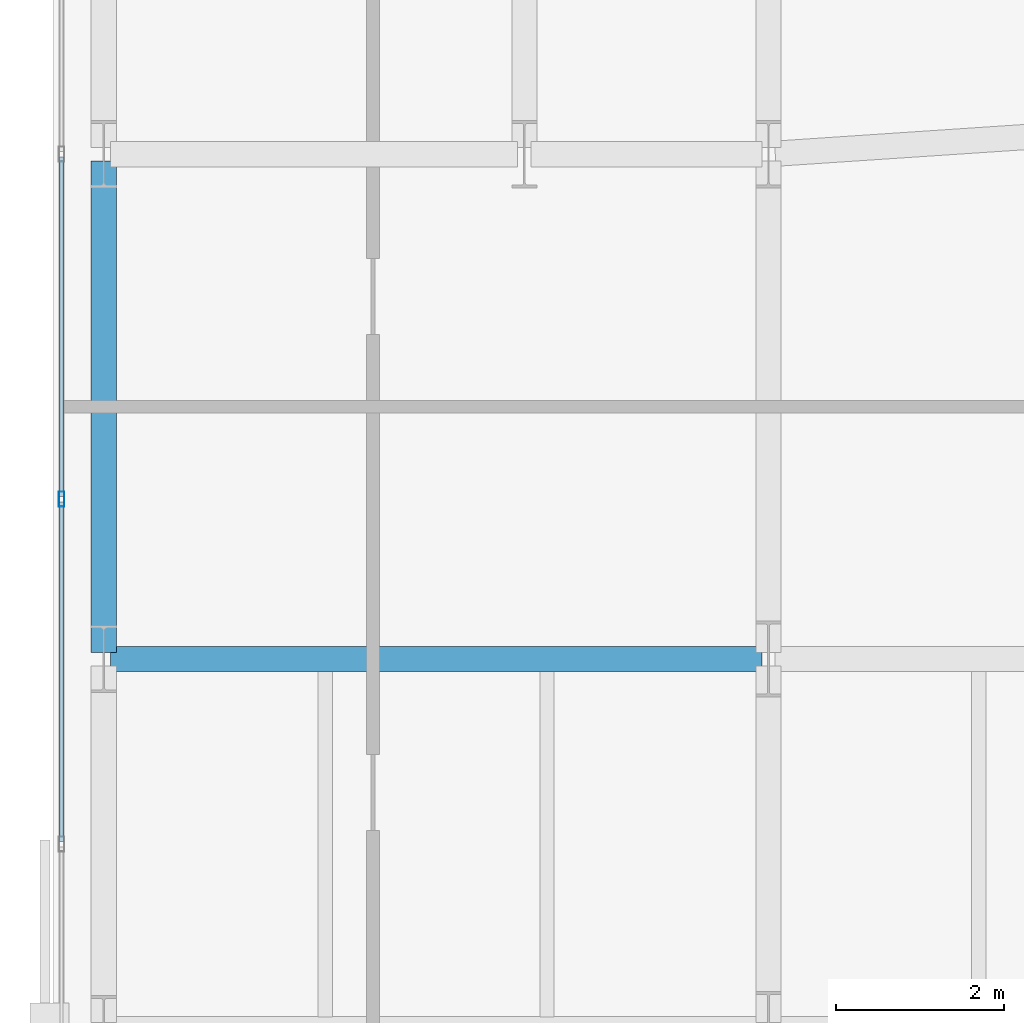
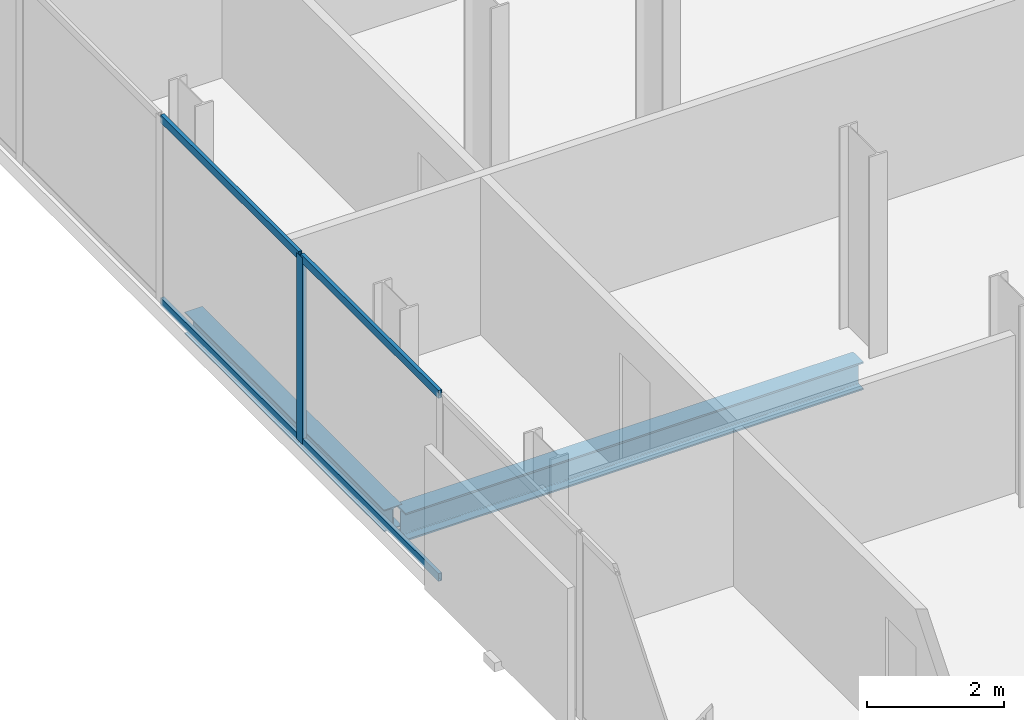
# One storey, part 9 of 33: 5 members, 2 beams, 1 element without a shape of its own.
"""IFC4 building model written with IfcOpenShell, lengths in metres."""

from ifc_helpers import new_model, si_unit, direction, frame, origin, origin_2d, place, context, subcontext, project, spatial, hollow_rectangle, i_section, extrude, material, layer, layer_set, material_profile, profile_set, type_object, element, aggregate, save


model = new_model("IFC4")

# Units and contexts
model_context = context("Model", 3, precision=1e-05, world=origin(), true_north=direction((0.0, 1.0)))
body_context = subcontext(model_context, "Body", "Model", "MODEL_VIEW")
ifc_project = project(units=[si_unit("LENGTHUNIT", "METRE"), si_unit("AREAUNIT", "SQUARE_METRE"), si_unit("VOLUMEUNIT", "CUBIC_METRE"), si_unit("PLANEANGLEUNIT", "RADIAN"), si_unit("MASSUNIT", "GRAM", prefix="KILO")], contexts=[model_context])

# Site, building, storey
site_placement = place(None, origin())
site = spatial("IfcSite", under=ifc_project, at=site_placement, CompositionType="ELEMENT")
building_placement = place(site_placement, origin())
building = spatial("IfcBuilding", under=site, at=building_placement, Name="Catumbela Crestline Tower", CompositionType="ELEMENT")
storey_placement = place(building_placement, frame((0.0, 0.0, 47.4)))
storey = spatial("IfcBuildingStorey", under=building, at=storey_placement, Name="L11", CompositionType="ELEMENT", Elevation=47.4)

# Beam
ifc_material_1 = material(Name="Structural steel S355J2", Category="steel")
ifc_material_profile_1 = material_profile(ifc_material_1, i_section(OverallWidth=0.3, OverallDepth=0.5, WebThickness=0.0145, FlangeThickness=0.028, FilletRadius=0.027, at=origin_2d()), Name="HEB 500")
ifc_profile_set_1 = profile_set([ifc_material_profile_1], Name="Structural steel S355J2")
beam_type_1 = type_object("IfcBeamType", Name="BG-HEB500", PredefinedType="BEAM", material=ifc_profile_set_1)
beam_1_placement = place(storey_placement, frame((0.68, 18.0, -0.51), z_axis=(1.0, 0.0, 0.0), x_axis=(0.0, 1.0, 0.0)))
element("IfcBeam", 1, at=beam_1_placement, inside=storey, type_object=beam_type_1, Name="L11 Beam BM-L11-WEW54", PredefinedType="BEAM", context=body_context, shape_type="SweptSolid", body=[
    extrude(i_section(OverallWidth=0.3, OverallDepth=0.5, WebThickness=0.0145, FlangeThickness=0.028, FilletRadius=0.027, at=origin_2d()), origin(), (0.0, 0.0, 1.0), 7.74),
])

# Curtain wall, member
ifc_material_2 = material(Name="Aluminium alloy AW-6060-T66", Category="aluminium")
ifc_layer = layer(ifc_material_2, 0.18, Name="Aluminium alloy AW-6060-T66")
ifc_layer_set = layer_set([ifc_layer], Name="Aluminium alloy AW-6060-T66")
curtain_wall_type = type_object("IfcCurtainWallType", Name="CWU-Z1", PredefinedType="USERDEFINED", material=ifc_layer_set)
curtain_wall_placement = place(storey_placement, origin())
curtain_wall = element("IfcCurtainWall", 2, at=curtain_wall_placement, inside=storey, type_object=curtain_wall_type, Name="L11 Unitised Curtain Wall CW-L11-E9S1", ObjectType="UNITISED", PredefinedType="USERDEFINED")
ifc_material_profile_2 = material_profile(ifc_material_2, hollow_rectangle(XDim=0.065, YDim=0.18, WallThickness=0.004, at=origin_2d()), Name="ALU 180x65x4")
ifc_profile_set_2 = profile_set([ifc_material_profile_2], Name="Aluminium alloy AW-6060-T66")
member_type_1 = type_object("IfcMemberType", Name="MUL-180X65", PredefinedType="MULLION", material=ifc_profile_set_2)
member_1_placement = place(storey_placement, frame((0.1, 19.9, 0.0), z_axis=(0.0, 0.0, 1.0), x_axis=(1.0, 0.0, 0.0)))
member_1 = element("IfcMember", 3, at=member_1_placement, type_object=member_type_1, Name="CWU-Z1 mullion 7", PredefinedType="MULLION", context=body_context, shape_type="SweptSolid", body=[
    extrude(hollow_rectangle(XDim=0.065, YDim=0.18, WallThickness=0.004, at=origin_2d()), origin(), (0.0, 0.0, 1.0), 3.33),
])

# Beam
ifc_material_profile_3 = material_profile(ifc_material_1, i_section(OverallWidth=0.3, OverallDepth=0.39, WebThickness=0.011, FlangeThickness=0.019, FilletRadius=0.027, at=origin_2d()), Name="HEA 400")
ifc_profile_set_3 = profile_set([ifc_material_profile_3], Name="Structural steel S355J2")
beam_type_2 = type_object("IfcBeamType", Name="BS-HEA400", PredefinedType="SPANDREL", material=ifc_profile_set_3)
beam_2_placement = place(storey_placement, frame((0.6, 18.08, -0.455), z_axis=(0.0, 1.0, 0.0), x_axis=(-1.0, 0.0, 0.0)))
element("IfcBeam", 4, at=beam_2_placement, inside=storey, type_object=beam_type_2, Name="L11 Spandrel SP-L11-WNS60", PredefinedType="SPANDREL", context=body_context, shape_type="SweptSolid", body=[
    extrude(i_section(OverallWidth=0.3, OverallDepth=0.39, WebThickness=0.011, FlangeThickness=0.019, FilletRadius=0.027, at=origin_2d()), origin(), (0.0, 0.0, 1.0), 5.84),
])

# Member
ifc_material_profile_4 = material_profile(ifc_material_2, hollow_rectangle(XDim=0.06, YDim=0.14, WallThickness=0.004, at=origin_2d()), Name="ALU 140x60x4")
ifc_profile_set_4 = profile_set([ifc_material_profile_4], Name="Aluminium alloy AW-6060-T66")
member_type_2 = type_object("IfcMemberType", Name="TRN-140X60", PredefinedType="USERDEFINED", material=ifc_profile_set_4)
member_2_placement = place(storey_placement, frame((0.1, 23.9675, 0.03), z_axis=(0.0, -1.0, 0.0), x_axis=(1.0, 0.0, 0.0)))
member_2 = element("IfcMember", 5, at=member_2_placement, type_object=member_type_2, Name="CWU-Z1 transom 6.1", ObjectType="TRANSOM", PredefinedType="USERDEFINED", context=body_context, shape_type="SweptSolid", body=[
    extrude(hollow_rectangle(XDim=0.06, YDim=0.14, WallThickness=0.004, at=origin_2d()), origin(), (0.0, 0.0, 1.0), 4.035),
])

member_3_placement = place(storey_placement, frame((0.1, 23.9675, 3.3), z_axis=(0.0, -1.0, 0.0), x_axis=(1.0, 0.0, 0.0)))
member_3 = element("IfcMember", 6, at=member_3_placement, type_object=member_type_2, Name="CWU-Z1 transom 6.2", ObjectType="TRANSOM", PredefinedType="USERDEFINED", context=body_context, shape_type="SweptSolid", body=[
    extrude(hollow_rectangle(XDim=0.06, YDim=0.14, WallThickness=0.004, at=origin_2d()), origin(), (0.0, 0.0, 1.0), 4.035),
])

member_4_placement = place(storey_placement, frame((0.1, 19.8675, 0.03), z_axis=(0.0, -1.0, 0.0), x_axis=(1.0, 0.0, 0.0)))
member_4 = element("IfcMember", 7, at=member_4_placement, type_object=member_type_2, Name="CWU-Z1 transom 7.1", ObjectType="TRANSOM", PredefinedType="USERDEFINED", context=body_context, shape_type="SweptSolid", body=[
    extrude(hollow_rectangle(XDim=0.06, YDim=0.14, WallThickness=0.004, at=origin_2d()), origin(), (0.0, 0.0, 1.0), 4.035),
])

member_5_placement = place(storey_placement, frame((0.1, 19.8675, 3.3), z_axis=(0.0, -1.0, 0.0), x_axis=(1.0, 0.0, 0.0)))
member_5 = element("IfcMember", 8, at=member_5_placement, type_object=member_type_2, Name="CWU-Z1 transom 7.2", ObjectType="TRANSOM", PredefinedType="USERDEFINED", context=body_context, shape_type="SweptSolid", body=[
    extrude(hollow_rectangle(XDim=0.06, YDim=0.14, WallThickness=0.004, at=origin_2d()), origin(), (0.0, 0.0, 1.0), 4.035),
])

aggregate(curtain_wall, [member_1, member_2, member_3, member_4, member_5])

save(model, "model.ifc")
